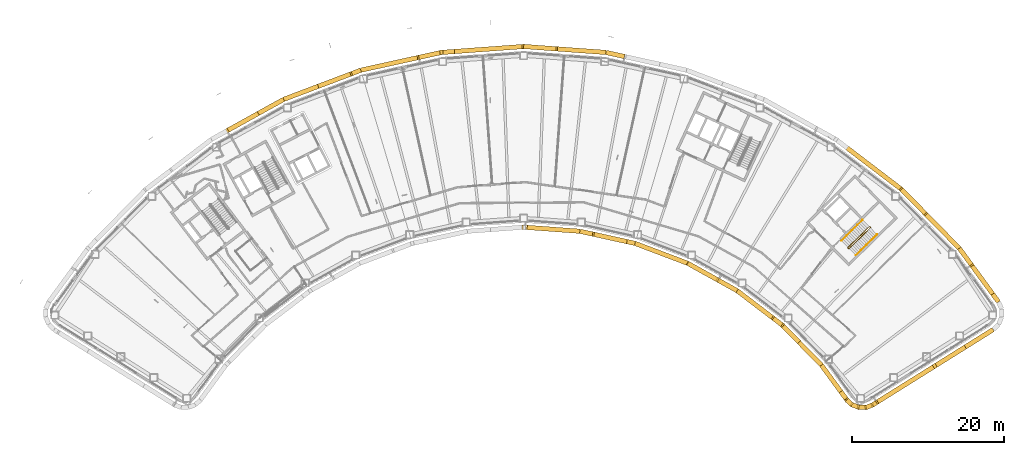
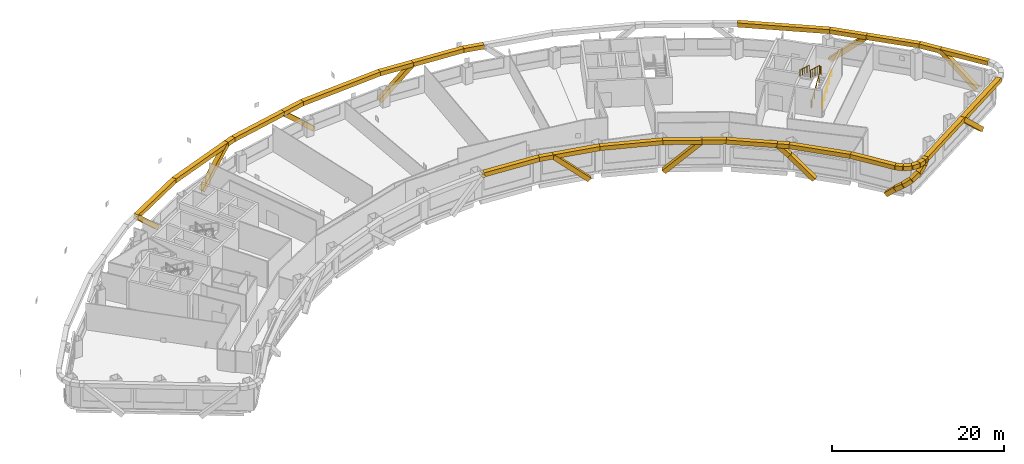
# One storey, part 17 of 19: 50 coverings, 3 railings.
"""IFC4 building model written with IfcOpenShell, lengths in metres."""

import ifcopenshell
import ifcopenshell.guid

model = None  # the IFC model being written
_history = None  # IfcOwnerHistory: only IFC2X3 demands one
_inside = {}  # id of a spatial element -> (the spatial element, [elements in it])
_under = {}  # id of a project, library or spatial element -> (it, [spatial elements below it])
_declared = {}  # id of a project -> (the project, [libraries it declares])
_typed = {}  # id of a type object -> (the type object, [elements of that type])
_made_of = {}  # id of a material, layer set ... -> (it, [elements and type objects made of it])


def new_model(schema):
    """Start an empty IFC model of exactly this schema.

    Asked for "IFC4X3", IfcOpenShell would pick the latest addendum, in which some entities
    have other attributes; the version numbers below select the first issue.
    IFC2X3 requires an IfcOwnerHistory on every rooted entity: one is made here for all.
    """
    global model, _history
    if schema == "IFC4X3":
        model = ifcopenshell.file(schema_version=(4, 3, 0, 0))
    else:
        model = ifcopenshell.file(schema=schema)
    _inside.clear()
    _under.clear()
    _declared.clear()
    _typed.clear()
    _made_of.clear()
    _history = None
    if model.schema == "IFC2X3":
        org = make("IfcOrganization", Name="unknown")
        user = make(
            "IfcPersonAndOrganization",
            ThePerson=make("IfcPerson", FamilyName="unknown"),
            TheOrganization=org,
        )
        app = make(
            "IfcApplication",
            ApplicationDeveloper=org,
            Version="unknown",
            ApplicationFullName="unknown",
            ApplicationIdentifier="unknown",
        )
        _history = make(
            "IfcOwnerHistory",
            OwningUser=user,
            OwningApplication=app,
            ChangeAction="ADDED",
            CreationDate=0,
        )
    return model


def make(cls, **values):
    """One entity of the class cls with the attributes given. An attribute that is None is left unset."""
    return model.create_entity(
        cls, **{name: value for name, value in values.items() if value is not None}
    )


def rooted(cls, **values):
    """An entity with a GlobalId (a new one), such as an element, a storey or a relation."""
    return make(cls, GlobalId=ifcopenshell.guid.new(), OwnerHistory=_history, **values)


def si_unit(unit_type, name, prefix=None):
    """IfcSIUnit, for example si_unit("LENGTHUNIT", "METRE", prefix="MILLI")."""
    return make("IfcSIUnit", UnitType=unit_type, Prefix=prefix, Name=name)


def assignment(units):
    """IfcUnitAssignment: the units of a project."""
    return None if units is None else make("IfcUnitAssignment", Units=units)


def point(xyz):
    """IfcCartesianPoint."""
    return None if xyz is None else make("IfcCartesianPoint", Coordinates=xyz)


def direction(xyz):
    """IfcDirection."""
    return None if xyz is None else make("IfcDirection", DirectionRatios=xyz)


def frame(location, z_axis=None, x_axis=None):
    """IfcAxis2Placement3D, a coordinate frame: its origin and axes. An axis left out is left unset."""
    return make(
        "IfcAxis2Placement3D",
        Location=point(location),
        Axis=direction(z_axis),
        RefDirection=direction(x_axis),
    )


def frame_2d(location, x_axis=None):
    """IfcAxis2Placement2D, a coordinate frame in the plane: its origin and x axis."""
    return make(
        "IfcAxis2Placement2D", Location=point(location), RefDirection=direction(x_axis)
    )


def origin():
    """The frame at (0, 0, 0) with its axes left unset."""
    return frame((0.0, 0.0, 0.0))


def origin_2d():
    """The frame at (0, 0) in the plane with its x axis left unset."""
    return frame_2d((0.0, 0.0))


def place(relative_to, where):
    """IfcLocalPlacement: puts the frame where relative to a parent placement (None: the world)."""
    return make(
        "IfcLocalPlacement", PlacementRelTo=relative_to, RelativePlacement=where
    )


def context(
    kind, dimensions, precision=None, world=None, true_north=None, identifier=None
):
    """IfcGeometricRepresentationContext, for example the 3D "Model" context."""
    return make(
        "IfcGeometricRepresentationContext",
        ContextIdentifier=identifier,
        ContextType=kind,
        CoordinateSpaceDimension=dimensions,
        Precision=precision,
        WorldCoordinateSystem=world,
        TrueNorth=true_north,
    )


def subcontext(parent, identifier, kind, view, scale=None):
    """IfcGeometricRepresentationSubContext, for example "Body" below "Model"."""
    return make(
        "IfcGeometricRepresentationSubContext",
        ContextIdentifier=identifier,
        ContextType=kind,
        ParentContext=parent,
        TargetScale=scale,
        TargetView=view,
    )


def project(units=None, contexts=None):
    """IfcProject with its units and contexts."""
    return rooted(
        "IfcProject",
        Name="project",
        RepresentationContexts=contexts,
        UnitsInContext=assignment(units),
    )


def spatial(cls, under=None, at=None, **own):
    """A site, building, storey or space (cls), placed at a placement, below another one or the project."""
    s = rooted(cls, ObjectPlacement=at, **own)
    if under is not None:
        _under.setdefault(under.id(), (under, []))[1].append(s)
    return s


def profile(cls, at=None, kind="AREA", **sizes):
    """A parametric profile (cls). Its sizes go by their IFC names, for example OverallWidth=200.0."""
    return make(cls, ProfileType=kind, Position=at, **sizes)


def rectangle(**sizes):
    """IfcRectangleProfileDef."""
    return profile("IfcRectangleProfileDef", **sizes)


def circle(**sizes):
    """IfcCircleProfileDef."""
    return profile("IfcCircleProfileDef", **sizes)


def extrude(swept, where, along, depth):
    """IfcExtrudedAreaSolid: the profile swept, set in the frame where, extruded along a direction by depth."""
    return make(
        "IfcExtrudedAreaSolid",
        SweptArea=swept,
        Position=where,
        ExtrudedDirection=direction(along),
        Depth=depth,
    )


def shape(context_of_items, identifier, shape_type, items):
    """IfcShapeRepresentation: the items that make up one representation, for example the "Body"."""
    return make(
        "IfcShapeRepresentation",
        ContextOfItems=context_of_items,
        RepresentationIdentifier=identifier,
        RepresentationType=shape_type,
        Items=items,
    )


def material(Name=None, Category=None):
    """IfcMaterial."""
    return make("IfcMaterial", Name=Name, Category=Category)


def material_profile(
    of_material, cross_section, Name=None, Category=None, Priority=None
):
    """IfcMaterialProfile: a cross section and its material."""
    return make(
        "IfcMaterialProfile",
        Name=Name,
        Material=of_material,
        Profile=cross_section,
        Priority=Priority,
        Category=Category,
    )


def profile_set(profiles, Name=None, composite=None):
    """IfcMaterialProfileSet."""
    return make(
        "IfcMaterialProfileSet",
        Name=Name,
        MaterialProfiles=profiles,
        CompositeProfile=composite,
    )


def made_of(thing, what):
    """Note that an element or type object is made of a material, layer set ...; save() writes the relation."""
    if what is not None:
        _made_of.setdefault(what.id(), (what, []))[1].append(thing)
    return thing


def type_object(cls, material=None, **own):
    """A type object (cls), such as IfcWallType, which elements share."""
    return made_of(rooted(cls, **own), material)


def element(
    cls,
    number,
    at=None,
    inside=None,
    cuts=None,
    type_object=None,
    material=None,
    context=None,
    identifier="Body",
    shape_type=None,
    held_by="IfcProductDefinitionShape",
    body=None,
    shapes=None,
    **own,
):
    """One element of the class cls, such as IfcWall. Its Tag is "e" and its number.

    at: its placement. inside: the storey or other place that contains it. cuts: it is an
    opening in that element (IfcRelVoidsElement). A single representation is given by context,
    identifier, shape_type and body (its items); several are given by shapes. held_by: the class
    of the entity that holds the representations. save() writes the other relations.
    """
    e = rooted(cls, Tag="e%d" % number, ObjectPlacement=at, **own)
    if body is not None:
        shapes = [shape(context, identifier, shape_type, body)]
    if shapes is not None:
        e.Representation = make(held_by, Representations=shapes)
    if inside is not None:
        _inside.setdefault(inside.id(), (inside, []))[1].append(e)
    if cuts is not None:
        rooted(
            "IfcRelVoidsElement", RelatingBuildingElement=cuts, RelatedOpeningElement=e
        )
    if type_object is not None:
        _typed.setdefault(type_object.id(), (type_object, []))[1].append(e)
    return made_of(e, material)


def aggregate(whole, parts):
    """IfcRelAggregates: a whole, such as a stair, and the parts it consists of."""
    return rooted("IfcRelAggregates", RelatingObject=whole, RelatedObjects=parts)


def save(model, path):
    """Write the relations noted so far, then the file.

    IfcRelAggregates (storeys below a building ...), IfcRelContainedInSpatialStructure (elements
    in a storey), IfcRelDefinesByType, IfcRelAssociatesMaterial and IfcRelDeclares: one each for
    every whole, place, type object, material and project.
    """
    for whole, parts in _under.values():
        aggregate(whole, parts)
    for where, things in _inside.values():
        rooted(
            "IfcRelContainedInSpatialStructure",
            RelatedElements=things,
            RelatingStructure=where,
        )
    for kind, things in _typed.values():
        rooted("IfcRelDefinesByType", RelatedObjects=things, RelatingType=kind)
    for what, things in _made_of.values():
        rooted("IfcRelAssociatesMaterial", RelatedObjects=things, RelatingMaterial=what)
    for by, libraries in _declared.values():
        rooted("IfcRelDeclares", RelatingContext=by, RelatedDefinitions=libraries)
    model.write(path)


model = new_model("IFC4")

# Units and contexts
model_context = context("Model", 3, precision=1e-05, world=origin(), true_north=direction((0.0, 1.0)))
body_context = subcontext(model_context, "Body", "Model", "MODEL_VIEW")
ifc_project = project(units=[si_unit("LENGTHUNIT", "METRE"), si_unit("AREAUNIT", "SQUARE_METRE"), si_unit("VOLUMEUNIT", "CUBIC_METRE"), si_unit("PLANEANGLEUNIT", "RADIAN"), si_unit("MASSUNIT", "GRAM", prefix="KILO")], contexts=[model_context])

# Site, building, storey
site_placement = place(None, origin())
site = spatial("IfcSite", under=ifc_project, at=site_placement, CompositionType="ELEMENT")
building_placement = place(site_placement, origin())
building = spatial("IfcBuilding", under=site, at=building_placement, Name="Tuul Gate Civic Tower", CompositionType="ELEMENT")
storey_placement = place(building_placement, frame((0.0, 0.0, 163.39990234375)))
storey = spatial("IfcBuildingStorey", under=building, at=storey_placement, Name="Level 37", CompositionType="ELEMENT", Elevation=163.39990234375)

# Railings
ifc_material_1 = material(Name="Painted steel", Category="steel")
railing_type_1 = type_object("IfcRailingType", Name="Stair guard", PredefinedType="GUARDRAIL", material=ifc_material_1)
railing_1_placement = place(storey_placement, frame((48.10546875, -16.134765625, 0.0)))
element("IfcRailing", 1, at=railing_1_placement, inside=storey, type_object=railing_type_1, Name="Level 37 ST-3 stair guard 1", PredefinedType="GUARDRAIL", context=body_context, shape_type="SweptSolid", body=[
    extrude(circle(Radius=0.02392578125, at=origin_2d()), frame((0.0, 0.0, 1.076171875), z_axis=(-0.698506948293, 0.715603272202, 0.0), x_axis=(-0.715603272202, -0.698506948293, 0.0)), (0.0, 0.0, 1.0), 0.099853515625),
    extrude(circle(Radius=0.02392578125, at=origin_2d()), frame((-0.06982421875, 0.071533203125, 1.076171875), z_axis=(0.644948864628, -0.331432055434, 0.688617277337), x_axis=(0.457068866502, 0.889431307788, 0.0)), (0.0, 0.0, 1.0), 0.218017578125),
    extrude(circle(Radius=0.02392578125, at=origin_2d()), frame((0.07080078125, -0.000732421875, 1.22607421875), z_axis=(0.638731261263, 0.626133563701, 0.447190268558), x_axis=(-0.700029477518, 0.714113947914, 0.0)), (0.0, 0.0, 1.0), 4.3603515625),
    extrude(circle(Radius=0.02392578125, at=origin_2d()), frame((2.85595703125, 2.7294921875, 3.17626953125), z_axis=(0.010380063588, 0.999946125689, 0.0), x_axis=(-0.999946125689, 0.010380063588, 0.0)), (0.0, 0.0, 1.0), 0.070556640625),
    extrude(circle(Radius=0.02392578125, at=origin_2d()), frame((2.856689453125, 2.800048828125, 3.17626953125), z_axis=(-0.699754442181, 0.714383454909, 0.0), x_axis=(-0.714383454909, -0.699754442181, 0.0)), (0.0, 0.0, 1.0), 0.10009765625),
    extrude(circle(Radius=0.02392578125, at=origin_2d()), frame((2.78662109375, 2.87158203125, 3.17626953125), z_axis=(-0.427069033481, 0.004417955519, 0.904208229508), x_axis=(-0.010344274102, -0.999946496565, 0.0)), (0.0, 0.0, 1.0), 0.165771484375),
    extrude(circle(Radius=0.02392578125, at=origin_2d()), frame((2.7158203125, 2.872314453125, 3.326171875), z_axis=(-0.638715268259, -0.626117886127, 0.447235059857), x_axis=(0.700029477518, -0.714113947914, 0.0)), (0.0, 0.0, 1.0), 4.360595703125),
    extrude(circle(Radius=0.02099609375, at=origin_2d()), origin(), (0.0, 0.0, 1.0), 1.052001953125),
    extrude(circle(Radius=0.02099609375, at=origin_2d()), frame((-0.06982421875, 0.071533203125, 0.0)), (0.0, 0.0, 1.0), 1.052001953125),
    extrude(circle(Radius=0.02099609375, at=origin_2d()), frame((0.07080078125, -0.000732421875, 0.150146484375)), (0.0, 0.0, 1.0), 1.052001953125),
    extrude(circle(Radius=0.02099609375, at=origin_2d()), frame((0.76708984375, 0.681884765625, 0.6376953125)), (0.0, 0.0, 1.0), 1.052001953125),
    extrude(circle(Radius=0.02099609375, at=origin_2d()), frame((1.46337890625, 1.3642578125, 1.125)), (0.0, 0.0, 1.0), 1.052001953125),
    extrude(circle(Radius=0.02099609375, at=origin_2d()), frame((2.15966796875, 2.046875, 1.612548828125)), (0.0, 0.0, 1.0), 1.052001953125),
    extrude(circle(Radius=0.02099609375, at=origin_2d()), frame((2.85595703125, 2.7294921875, 2.10009765625)), (0.0, 0.0, 1.0), 1.052001953125),
    extrude(circle(Radius=0.02099609375, at=origin_2d()), frame((2.856689453125, 2.800048828125, 2.10009765625)), (0.0, 0.0, 1.0), 1.052001953125),
    extrude(circle(Radius=0.02099609375, at=origin_2d()), frame((2.78662109375, 2.87158203125, 2.10009765625)), (0.0, 0.0, 1.0), 1.052001953125),
    extrude(circle(Radius=0.02099609375, at=origin_2d()), frame((2.7158203125, 2.872314453125, 2.25)), (0.0, 0.0, 1.0), 1.052001953125),
    extrude(circle(Radius=0.02099609375, at=origin_2d()), frame((2.01953125, 2.189697265625, 2.737548828125)), (0.0, 0.0, 1.0), 1.052001953125),
    extrude(circle(Radius=0.02099609375, at=origin_2d()), frame((1.3232421875, 1.50732421875, 3.22509765625)), (0.0, 0.0, 1.0), 1.052001953125),
    extrude(circle(Radius=0.02099609375, at=origin_2d()), frame((0.626953125, 0.82470703125, 3.712646484375)), (0.0, 0.0, 1.0), 1.052001953125),
    extrude(circle(Radius=0.02099609375, at=origin_2d()), frame((-0.0693359375, 0.14208984375, 4.2001953125)), (0.0, 0.0, 1.0), 1.052001953125),
])
ifc_material_2 = material(Name="Painted steel", Category="steel")
railing_type_2 = type_object("IfcRailingType", Name="Stair handrail", PredefinedType="HANDRAIL", material=ifc_material_2)
railing_2_placement = place(storey_placement, frame((49.05126953125, -17.028076171875, 0.150146484375)))
element("IfcRailing", 2, at=railing_2_placement, inside=storey, type_object=railing_type_2, Name="Level 37 ST-3 stair handrail 1", PredefinedType="HANDRAIL", context=body_context, shape_type="SweptSolid", body=[
    extrude(circle(Radius=0.02392578125, at=origin_2d()), frame((0.0, 0.0, 0.8759765625), z_axis=(0.638753653487, 0.626099522554, 0.447205945863), x_axis=(-0.699997553204, 0.714145241186, 0.0)), (0.0, 0.0, 1.0), 4.3603515625),
    extrude(circle(Radius=0.02099609375, at=origin_2d()), origin(), (0.0, 0.0, 1.0), 0.851806640625),
    extrude(circle(Radius=0.02099609375, at=origin_2d()), frame((0.6962890625, 0.6826171875, 0.487548828125)), (0.0, 0.0, 1.0), 0.851806640625),
    extrude(circle(Radius=0.02099609375, at=origin_2d()), frame((1.392578125, 1.364990234375, 0.97509765625)), (0.0, 0.0, 1.0), 0.851806640625),
    extrude(circle(Radius=0.02099609375, at=origin_2d()), frame((2.0888671875, 2.04736328125, 1.46240234375)), (0.0, 0.0, 1.0), 0.851806640625),
    extrude(circle(Radius=0.02099609375, at=origin_2d()), frame((2.78515625, 2.72998046875, 1.949951171875)), (0.0, 0.0, 1.0), 0.851806640625),
])
railing_3_placement = place(storey_placement, frame((49.9462890625, -12.369873046875, 2.25)))
element("IfcRailing", 3, at=railing_3_placement, inside=storey, type_object=railing_type_2, Name="Level 37 ST-3 stair handrail 2", PredefinedType="HANDRAIL", context=body_context, shape_type="SweptSolid", body=[
    extrude(circle(Radius=0.02392578125, at=origin_2d()), frame((0.0, 0.0, 0.8759765625), z_axis=(-0.638737658801, -0.626083844733, 0.447250737947), x_axis=(0.699997553204, -0.714145241186, 0.0)), (0.0, 0.0, 1.0), 4.3603515625),
    extrude(circle(Radius=0.02099609375, at=origin_2d()), origin(), (0.0, 0.0, 1.0), 0.851806640625),
    extrude(circle(Radius=0.02099609375, at=origin_2d()), frame((-0.6962890625, -0.6826171875, 0.487548828125)), (0.0, 0.0, 1.0), 0.851806640625),
    extrude(circle(Radius=0.02099609375, at=origin_2d()), frame((-1.392578125, -1.364990234375, 0.97509765625)), (0.0, 0.0, 1.0), 0.851806640625),
    extrude(circle(Radius=0.02099609375, at=origin_2d()), frame((-2.0888671875, -2.04736328125, 1.462646484375)), (0.0, 0.0, 1.0), 0.851806640625),
    extrude(circle(Radius=0.02099609375, at=origin_2d()), frame((-2.78515625, -2.72998046875, 1.9501953125)), (0.0, 0.0, 1.0), 0.851806640625),
])

# Coverings
ifc_material_3 = material(Name="Terracotta baguette", Category="masonry")
ifc_material_profile = material_profile(ifc_material_3, rectangle(XDim=0.60009765625, YDim=0.60009765625, at=origin_2d()), Name="Terracotta baguette screen frame")
ifc_profile_set = profile_set([ifc_material_profile], Name="Terracotta baguette")
covering_type = type_object("IfcCoveringType", Name="Terracotta baguette screen frame", PredefinedType="CLADDING", material=ifc_profile_set)
covering_1_placement = place(storey_placement, frame((63.275146484375, -29.19384765625, -0.349853515625), z_axis=(-0.621692196539, -0.388419240575, 0.680168586686), x_axis=(0.529863185224, -0.848083135633, 0.0)))
element("IfcCovering", 4, at=covering_1_placement, inside=storey, type_object=covering_type, Name="Baguette 10", PredefinedType="CLADDING", context=body_context, shape_type="SweptSolid", body=[
    extrude(rectangle(XDim=0.60009765625, YDim=0.60009765625, at=origin_2d()), origin(), (0.0, 0.0, 1.0), 6.1748046875),
])
covering_2_placement = place(storey_placement, frame((66.93359375, -21.952880859375, -0.349853515625), z_axis=(-0.433770617743, 0.59398297229, 0.677515519978), x_axis=(-0.807581408805, -0.589756109042, 0.0)))
element("IfcCovering", 5, at=covering_2_placement, inside=storey, type_object=covering_type, Name="Baguette 20", PredefinedType="CLADDING", context=body_context, shape_type="SweptSolid", body=[
    extrude(rectangle(XDim=0.60009765625, YDim=0.60009765625, at=origin_2d()), origin(), (0.0, 0.0, 1.0), 6.198974609375),
])
covering_3_placement = place(storey_placement, frame((64.24462890625, -18.270751953125, 3.85009765625), z_axis=(-0.58975169847, 0.807584629715, 0.0), x_axis=(-0.807584629715, -0.58975169847, 0.0)))
element("IfcCovering", 6, at=covering_3_placement, inside=storey, type_object=covering_type, Name="Baguette 25", PredefinedType="CLADDING", context=body_context, shape_type="SweptSolid", body=[
    extrude(rectangle(XDim=0.60009765625, YDim=0.60009765625, at=origin_2d()), origin(), (0.0, 0.0, 1.0), 2.680908203125),
])
covering_4_placement = place(storey_placement, frame((62.66357421875, -16.105712890625, 3.85009765625), z_axis=(-0.700039399016, 0.714104221963, 0.0), x_axis=(-0.714104221963, -0.700039399016, 0.0)))
element("IfcCovering", 7, at=covering_4_placement, inside=storey, type_object=covering_type, Name="Baguette 26", PredefinedType="CLADDING", context=body_context, shape_type="SweptSolid", body=[
    extrude(rectangle(XDim=0.60009765625, YDim=0.60009765625, at=origin_2d()), origin(), (0.0, 0.0, 1.0), 6.4052734375),
])
covering_5_placement = place(storey_placement, frame((58.1796875, -11.53173828125, 3.85009765625), z_axis=(-0.513664811343, 0.523980822303, -0.679406034302), x_axis=(-0.714101368885, -0.700042309404, 0.0)))
element("IfcCovering", 8, at=covering_5_placement, inside=storey, type_object=covering_type, Name="Baguette 29", PredefinedType="CLADDING", context=body_context, shape_type="SweptSolid", body=[
    extrude(rectangle(XDim=0.60009765625, YDim=0.60009765625, at=origin_2d()), origin(), (0.0, 0.0, 1.0), 6.05859375),
])
covering_6_placement = place(storey_placement, frame((18.626708984375, 9.115478515625, 3.85009765625), z_axis=(-0.976564116236, 0.215226687194, 0.0), x_axis=(-0.215226687194, -0.976564116236, 0.0)))
element("IfcCovering", 9, at=covering_6_placement, inside=storey, type_object=covering_type, Name="Baguette 67", PredefinedType="CLADDING", context=body_context, shape_type="SweptSolid", body=[
    extrude(rectangle(XDim=0.60009765625, YDim=0.60009765625, at=origin_2d()), origin(), (0.0, 0.0, 1.0), 2.48876953125),
])
covering_7_placement = place(storey_placement, frame((16.1962890625, 9.651123046875, 3.85009765625), z_axis=(-0.997387623225, 0.072235234043, 0.0), x_axis=(-0.072235234043, -0.997387623225, 0.0)))
element("IfcCovering", 10, at=covering_7_placement, inside=storey, type_object=covering_type, Name="Baguette 68", PredefinedType="CLADDING", context=body_context, shape_type="SweptSolid", body=[
    extrude(rectangle(XDim=0.60009765625, YDim=0.60009765625, at=origin_2d()), origin(), (0.0, 0.0, 1.0), 6.583740234375),
])
covering_8_placement = place(storey_placement, frame((9.629638671875, 10.126708984375, 3.85009765625), z_axis=(-0.731844734736, 0.053027359301, -0.679405168809), x_axis=(-0.072267661138, -0.997385274181, 0.0)))
element("IfcCovering", 11, at=covering_8_placement, inside=storey, type_object=covering_type, Name="Baguette 71", PredefinedType="CLADDING", context=body_context, shape_type="SweptSolid", body=[
    extrude(rectangle(XDim=0.60009765625, YDim=0.60009765625, at=origin_2d()), origin(), (0.0, 0.0, 1.0), 5.81494140625),
])
covering_9_placement = place(storey_placement, frame((-3.943359375, 9.760009765625, -0.349853515625), z_axis=(-0.731921933981, -0.052950070163, 0.679328030209), x_axis=(0.072155305808, -0.997393408763, 0.0)))
element("IfcCovering", 12, at=covering_9_placement, inside=storey, type_object=covering_type, Name="Baguette 85", PredefinedType="CLADDING", context=body_context, shape_type="SweptSolid", body=[
    extrude(rectangle(XDim=0.60009765625, YDim=0.60009765625, at=origin_2d()), origin(), (0.0, 0.0, 1.0), 2.056396484375),
])
covering_10_placement = place(storey_placement, frame((-5.448486328125, 9.651123046875, 1.047119140625), z_axis=(-0.716565575252, -0.157941491481, 0.679402871374), x_axis=(0.21524792572, -0.976559435198, 0.0)))
element("IfcCovering", 13, at=covering_10_placement, inside=storey, type_object=covering_type, Name="Baguette 86", PredefinedType="CLADDING", context=body_context, shape_type="SweptSolid", body=[
    extrude(rectangle(XDim=0.60009765625, YDim=0.60009765625, at=origin_2d()), origin(), (0.0, 0.0, 1.0), 4.125732421875),
])
covering_11_placement = place(storey_placement, frame((-8.40478515625, 8.99951171875, 3.85009765625), z_axis=(-0.97656661245, -0.215215360623, 0.0), x_axis=(0.215215360623, -0.97656661245, 0.0)))
element("IfcCovering", 14, at=covering_11_placement, inside=storey, type_object=covering_type, Name="Baguette 91", PredefinedType="CLADDING", context=body_context, shape_type="SweptSolid", body=[
    extrude(rectangle(XDim=0.60009765625, YDim=0.60009765625, at=origin_2d()), origin(), (0.0, 0.0, 1.0), 7.823974609375),
])
covering_12_placement = place(storey_placement, frame((-16.04541015625, 7.315673828125, 3.85009765625), z_axis=(-0.935336979546, -0.353758017144, 0.0), x_axis=(0.353758017144, -0.935336979546, 0.0)))
element("IfcCovering", 15, at=covering_12_placement, inside=storey, type_object=covering_type, Name="Baguette 92", PredefinedType="CLADDING", context=body_context, shape_type="SweptSolid", body=[
    extrude(rectangle(XDim=0.60009765625, YDim=0.60009765625, at=origin_2d()), origin(), (0.0, 0.0, 1.0), 1.24853515625),
])
covering_13_placement = place(storey_placement, frame((-17.213134765625, 6.8740234375, 3.85009765625), z_axis=(-0.686341416792, -0.259545186211, -0.679390724039), x_axis=(0.353711403676, -0.935354608108, 0.0)))
element("IfcCovering", 16, at=covering_13_placement, inside=storey, type_object=covering_type, Name="Baguette 94", PredefinedType="CLADDING", context=body_context, shape_type="SweptSolid", body=[
    extrude(rectangle(XDim=0.60009765625, YDim=0.60009765625, at=origin_2d()), origin(), (0.0, 0.0, 1.0), 6.181884765625),
])
covering_14_placement = place(storey_placement, frame((-29.69873046875, 1.535400390625, -0.349853515625), z_axis=(-0.641784666294, -0.355744032612, 0.679381060504), x_axis=(0.484806475071, -0.874621450531, 0.0)))
element("IfcCovering", 17, at=covering_14_placement, inside=storey, type_object=covering_type, Name="Baguette 104", PredefinedType="CLADDING", context=body_context, shape_type="SweptSolid", body=[
    extrude(rectangle(XDim=0.60009765625, YDim=0.60009765625, at=origin_2d()), origin(), (0.0, 0.0, 1.0), 6.18212890625),
])
covering_15_placement = place(storey_placement, frame((5.3740234375, -13.326904296875, 3.6005859375), z_axis=(0.723104762841, -0.052564931502, 0.688735384551), x_axis=(0.072502073076, 0.997368261677, 0.0)))
element("IfcCovering", 18, at=covering_15_placement, inside=storey, type_object=covering_type, Name="Baguette 219", PredefinedType="CLADDING", context=body_context, shape_type="SweptSolid", body=[
    extrude(rectangle(XDim=0.60009765625, YDim=0.60009765625, at=origin_2d()), origin(), (0.0, 0.0, 1.0), 0.3623046875),
])
covering_16_placement = place(storey_placement, frame((5.635986328125, -13.345947265625, 3.85009765625), z_axis=(0.997385437558, -0.072265406293, 0.0), x_axis=(0.072265406293, 0.997385437558, 0.0)))
element("IfcCovering", 19, at=covering_16_placement, inside=storey, type_object=covering_type, Name="Baguette 224", PredefinedType="CLADDING", context=body_context, shape_type="SweptSolid", body=[
    extrude(rectangle(XDim=0.60009765625, YDim=0.60009765625, at=origin_2d()), origin(), (0.0, 0.0, 1.0), 7.155517578125),
])
covering_17_placement = place(storey_placement, frame((12.772705078125, -13.863037109375, 3.85009765625), z_axis=(0.976558033937, -0.215254283007, 0.0), x_axis=(0.215254283007, 0.976558033937, 0.0)))
element("IfcCovering", 20, at=covering_17_placement, inside=storey, type_object=covering_type, Name="Baguette 225", PredefinedType="CLADDING", context=body_context, shape_type="SweptSolid", body=[
    extrude(rectangle(XDim=0.60009765625, YDim=0.60009765625, at=origin_2d()), origin(), (0.0, 0.0, 1.0), 1.69677734375),
])
for number, where, z_axis, x_axis, name in (
    (21, (14.4296875, -14.228271484375, 3.85009765625), (0.708366541993, -0.156134341459, -0.68835957871), (0.21524797351, 0.976559424664, 0.0), "Baguette 227"),
    (22, (27.07666015625, -18.150634765625, -0.349853515625), (0.634417893986, -0.351680786518, 0.688356419441), (0.484827764604, 0.874609649312, 0.0), "Baguette 239"),
):
    element("IfcCovering", number, at=place(storey_placement, frame(where, z_axis=z_axis, x_axis=x_axis)), inside=storey, type_object=covering_type, Name=name, PredefinedType="CLADDING", context=body_context, shape_type="SweptSolid", body=[
        extrude(rectangle(XDim=0.60009765625, YDim=0.60009765625, at=origin_2d()), origin(), (0.0, 0.0, 1.0), 6.101318359375),
    ])
covering_18_placement = place(storey_placement, frame((30.947509765625, -20.29638671875, 3.85009765625), z_axis=(0.874604932638, -0.484836273195, 0.0), x_axis=(0.484836273195, 0.874604932638, 0.0)))
element("IfcCovering", 23, at=covering_18_placement, inside=storey, type_object=covering_type, Name="Baguette 244", PredefinedType="CLADDING", context=body_context, shape_type="SweptSolid", body=[
    extrude(rectangle(XDim=0.60009765625, YDim=0.60009765625, at=origin_2d()), origin(), (0.0, 0.0, 1.0), 2.85302734375),
])
covering_19_placement = place(storey_placement, frame((33.44287109375, -21.6796875, 3.85009765625), z_axis=(0.795578368083, -0.605850691373, 0.0), x_axis=(0.605850691373, 0.795578368083, 0.0)))
element("IfcCovering", 24, at=covering_19_placement, inside=storey, type_object=covering_type, Name="Baguette 245", PredefinedType="CLADDING", context=body_context, shape_type="SweptSolid", body=[
    extrude(rectangle(XDim=0.60009765625, YDim=0.60009765625, at=origin_2d()), origin(), (0.0, 0.0, 1.0), 5.9990234375),
])
covering_20_placement = place(storey_placement, frame((38.215576171875, -25.314208984375, 3.85009765625), z_axis=(0.577125766538, -0.439459304494, -0.68833231022), x_axis=(0.605820279821, 0.795601526241, 0.0)))
element("IfcCovering", 25, at=covering_20_placement, inside=storey, type_object=covering_type, Name="Baguette 248", PredefinedType="CLADDING", context=body_context, shape_type="SweptSolid", body=[
    extrude(rectangle(XDim=0.60009765625, YDim=0.60009765625, at=origin_2d()), origin(), (0.0, 0.0, 1.0), 1.9560546875),
])
covering_21_placement = place(storey_placement, frame((39.344482421875, -26.173828125, 2.503662109375), z_axis=(0.507776102348, -0.518023497593, -0.688342273746), x_axis=(0.714134909565, 0.700008093482, 0.0)))
element("IfcCovering", 26, at=covering_21_placement, inside=storey, type_object=covering_type, Name="Baguette 249", PredefinedType="CLADDING", context=body_context, shape_type="SweptSolid", body=[
    extrude(rectangle(XDim=0.60009765625, YDim=0.60009765625, at=origin_2d()), origin(), (0.0, 0.0, 1.0), 4.1455078125),
])
covering_22_placement = place(storey_placement, frame((47.202392578125, -35.12060546875, -0.349853515625), z_axis=(0.431205862889, -0.590642022756, 0.68205828546), x_axis=(0.807662774431, 0.589644675037, 0.0)))
element("IfcCovering", 27, at=covering_22_placement, inside=storey, type_object=covering_type, Name="Baguette 276", PredefinedType="CLADDING", context=body_context, shape_type="SweptSolid", body=[
    extrude(rectangle(XDim=0.60009765625, YDim=0.60009765625, at=origin_2d()), origin(), (0.0, 0.0, 1.0), 1.57568359375),
])
covering_23_placement = place(storey_placement, frame((47.8818359375, -36.05126953125, 0.724853515625), z_axis=(0.593945763678, -0.556067131363, 0.581392961109), x_axis=(0.683445771731, 0.730001285686, 0.0)))
element("IfcCovering", 28, at=covering_23_placement, inside=storey, type_object=covering_type, Name="Baguette 277", PredefinedType="CLADDING", context=body_context, shape_type="SweptSolid", body=[
    extrude(rectangle(XDim=0.60009765625, YDim=0.60009765625, at=origin_2d()), origin(), (0.0, 0.0, 1.0), 1.108642578125),
])
covering_24_placement = place(storey_placement, frame((48.540283203125, -36.667724609375, 1.369384765625), z_axis=(0.775194320813, -0.307235279481, 0.551978485108), x_axis=(0.36845020329, 0.929647485715, 0.0)))
element("IfcCovering", 29, at=covering_24_placement, inside=storey, type_object=covering_type, Name="Baguette 278", PredefinedType="CLADDING", context=body_context, shape_type="SweptSolid", body=[
    extrude(rectangle(XDim=0.60009765625, YDim=0.60009765625, at=origin_2d()), origin(), (0.0, 0.0, 1.0), 1.168212890625),
])
covering_25_placement = place(storey_placement, frame((49.44580078125, -37.026611328125, 2.01416015625), z_axis=(0.833750120716, -0.002301443244, 0.552137156479), x_axis=(0.002760340801, 0.999996190252, 0.0)))
element("IfcCovering", 30, at=covering_25_placement, inside=storey, type_object=covering_type, Name="Baguette 279", PredefinedType="CLADDING", context=body_context, shape_type="SweptSolid", body=[
    extrude(rectangle(XDim=0.60009765625, YDim=0.60009765625, at=origin_2d()), origin(), (0.0, 0.0, 1.0), 1.1669921875),
])
covering_26_placement = place(storey_placement, frame((50.418701171875, -37.029296875, 2.658447265625), z_axis=(0.758087647671, 0.294995454877, 0.581619119399), x_axis=(-0.362642296801, 0.93192841172, 0.0)))
element("IfcCovering", 31, at=covering_26_placement, inside=storey, type_object=covering_type, Name="Baguette 280", PredefinedType="CLADDING", context=body_context, shape_type="SweptSolid", body=[
    extrude(rectangle(XDim=0.60009765625, YDim=0.60009765625, at=origin_2d()), origin(), (0.0, 0.0, 1.0), 1.108154296875),
])
covering_27_placement = place(storey_placement, frame((51.2587890625, -36.702392578125, 3.302978515625), z_axis=(0.621611927878, 0.388507454924, 0.680191567566), x_axis=(-0.529998940003, 0.847998304005, 0.0)))
element("IfcCovering", 32, at=covering_27_placement, inside=storey, type_object=covering_type, Name="Baguette 281", PredefinedType="CLADDING", context=body_context, shape_type="SweptSolid", body=[
    extrude(rectangle(XDim=0.60009765625, YDim=0.60009765625, at=origin_2d()), origin(), (0.0, 0.0, 1.0), 0.804443359375),
])
covering_28_placement = place(storey_placement, frame((51.7587890625, -36.389892578125, 3.85009765625), z_axis=(0.848039206863, 0.52993348981, 0.0), x_axis=(-0.52993348981, 0.848039206863, 0.0)))
element("IfcCovering", 33, at=covering_28_placement, inside=storey, type_object=covering_type, Name="Baguette 284", PredefinedType="CLADDING", context=body_context, shape_type="SweptSolid", body=[
    extrude(rectangle(XDim=0.60009765625, YDim=0.60009765625, at=origin_2d()), origin(), (0.0, 0.0, 1.0), 9.05322265625),
])
covering_29_placement = place(storey_placement, frame((58.1796875, -11.53173828125, 3.85009765625), z_axis=(-0.700042309404, 0.714101368885, 0.0), x_axis=(-0.714101368885, -0.700042309404, 0.0)))
element("IfcCovering", 34, at=covering_29_placement, inside=storey, type_object=covering_type, Name="Baguette 419", PredefinedType="CLADDING", context=body_context, shape_type="SweptSolid", body=[
    extrude(rectangle(XDim=0.60009765625, YDim=0.60009765625, at=origin_2d()), origin(), (0.0, 0.0, 1.0), 4.445556640625),
])
covering_30_placement = place(storey_placement, frame((55.067626953125, -8.357177734375, 3.85009765625), z_axis=(-0.795618643442, 0.605797799771, 0.0), x_axis=(-0.605797799771, -0.795618643442, 0.0)))
element("IfcCovering", 35, at=covering_30_placement, inside=storey, type_object=covering_type, Name="Baguette 420", PredefinedType="CLADDING", context=body_context, shape_type="SweptSolid", body=[
    extrude(rectangle(XDim=0.60009765625, YDim=0.60009765625, at=origin_2d()), origin(), (0.0, 0.0, 1.0), 10.851318359375),
])
covering_31_placement = place(storey_placement, frame((9.629638671875, 10.126708984375, 3.85009765625), z_axis=(-0.997385274181, 0.072267661138, 0.0), x_axis=(-0.072267661138, -0.997385274181, 0.0)))
element("IfcCovering", 36, at=covering_31_placement, inside=storey, type_object=covering_type, Name="Baguette 424", PredefinedType="CLADDING", context=body_context, shape_type="SweptSolid", body=[
    extrude(rectangle(XDim=0.60009765625, YDim=0.60009765625, at=origin_2d()), origin(), (0.0, 0.0, 1.0), 4.266845703125),
])
covering_32_placement = place(storey_placement, frame((5.3740234375, 10.43505859375, 3.85009765625), z_axis=(-0.997386817082, -0.072246363998, 0.0), x_axis=(0.072246363998, -0.997386817082, 0.0)))
element("IfcCovering", 37, at=covering_32_placement, inside=storey, type_object=covering_type, Name="Baguette 425", PredefinedType="CLADDING", context=body_context, shape_type="SweptSolid", body=[
    extrude(rectangle(XDim=0.60009765625, YDim=0.60009765625, at=origin_2d()), origin(), (0.0, 0.0, 1.0), 10.850830078125),
])
covering_33_placement = place(storey_placement, frame((-5.448486328125, 9.651123046875, 3.85009765625), z_axis=(-0.976559435198, -0.21524792572, 0.0), x_axis=(0.21524792572, -0.976559435198, 0.0)))
element("IfcCovering", 38, at=covering_33_placement, inside=storey, type_object=covering_type, Name="Baguette 426", PredefinedType="CLADDING", context=body_context, shape_type="SweptSolid", body=[
    extrude(rectangle(XDim=0.60009765625, YDim=0.60009765625, at=origin_2d()), origin(), (0.0, 0.0, 1.0), 3.02734375),
])
covering_34_placement = place(storey_placement, frame((-17.213134765625, 6.8740234375, 3.85009765625), z_axis=(-0.935349696877, -0.353724390667, 0.0), x_axis=(0.353724390667, -0.935349696877, 0.0)))
element("IfcCovering", 39, at=covering_34_placement, inside=storey, type_object=covering_type, Name="Baguette 427", PredefinedType="CLADDING", context=body_context, shape_type="SweptSolid", body=[
    extrude(rectangle(XDim=0.60009765625, YDim=0.60009765625, at=origin_2d()), origin(), (0.0, 0.0, 1.0), 9.602783203125),
])
covering_35_placement = place(storey_placement, frame((-26.195068359375, 3.477294921875, 3.85009765625), z_axis=(-0.874631408873, -0.48478850916, 0.0), x_axis=(0.48478850916, -0.874631408873, 0.0)))
element("IfcCovering", 40, at=covering_35_placement, inside=storey, type_object=covering_type, Name="Baguette 428", PredefinedType="CLADDING", context=body_context, shape_type="SweptSolid", body=[
    extrude(rectangle(XDim=0.60009765625, YDim=0.60009765625, at=origin_2d()), origin(), (0.0, 0.0, 1.0), 8.5419921875),
])
covering_36_placement = place(storey_placement, frame((14.4296875, -14.228271484375, 3.85009765625), z_axis=(0.97655913888, -0.21524927008, 0.0), x_axis=(0.21524927008, 0.97655913888, 0.0)))
element("IfcCovering", 41, at=covering_36_placement, inside=storey, type_object=covering_type, Name="Baguette 440", PredefinedType="CLADDING", context=body_context, shape_type="SweptSolid", body=[
    extrude(rectangle(XDim=0.60009765625, YDim=0.60009765625, at=origin_2d()), origin(), (0.0, 0.0, 1.0), 5.720947265625),
])
covering_37_placement = place(storey_placement, frame((20.0166015625, -15.459716796875, 3.85009765625), z_axis=(0.935363965038, -0.353686659217, 0.0), x_axis=(0.353686659217, 0.935363965038, 0.0)))
element("IfcCovering", 42, at=covering_37_placement, inside=storey, type_object=covering_type, Name="Baguette 441", PredefinedType="CLADDING", context=body_context, shape_type="SweptSolid", body=[
    extrude(rectangle(XDim=0.60009765625, YDim=0.60009765625, at=origin_2d()), origin(), (0.0, 0.0, 1.0), 7.417724609375),
])
covering_38_placement = place(storey_placement, frame((26.954833984375, -18.083251953125, 3.85009765625), z_axis=(0.874623567378, -0.484802656126, 0.0), x_axis=(0.484802656126, 0.874623567378, 0.0)))
element("IfcCovering", 43, at=covering_38_placement, inside=storey, type_object=covering_type, Name="Baguette 442", PredefinedType="CLADDING", context=body_context, shape_type="SweptSolid", body=[
    extrude(rectangle(XDim=0.60009765625, YDim=0.60009765625, at=origin_2d()), origin(), (0.0, 0.0, 1.0), 4.56494140625),
])
covering_39_placement = place(storey_placement, frame((38.215576171875, -25.314208984375, 3.85009765625), z_axis=(0.795601526241, -0.605820279821, 0.0), x_axis=(0.605820279821, 0.795601526241, 0.0)))
element("IfcCovering", 44, at=covering_39_placement, inside=storey, type_object=covering_type, Name="Baguette 443", PredefinedType="CLADDING", context=body_context, shape_type="SweptSolid", body=[
    extrude(rectangle(XDim=0.60009765625, YDim=0.60009765625, at=origin_2d()), origin(), (0.0, 0.0, 1.0), 1.4189453125),
])
covering_40_placement = place(storey_placement, frame((39.344482421875, -26.173828125, 3.85009765625), z_axis=(0.700028633045, -0.714114775731, 0.0), x_axis=(0.714114775731, 0.700028633045, 0.0)))
element("IfcCovering", 45, at=covering_40_placement, inside=storey, type_object=covering_type, Name="Baguette 444", PredefinedType="CLADDING", context=body_context, shape_type="SweptSolid", body=[
    extrude(rectangle(XDim=0.60009765625, YDim=0.60009765625, at=origin_2d()), origin(), (0.0, 0.0, 1.0), 7.41796875),
])
covering_41_placement = place(storey_placement, frame((44.537353515625, -31.47119140625, 3.85009765625), z_axis=(0.589729447422, -0.807600878432, 0.0), x_axis=(0.807600878432, 0.589729447422, 0.0)))
element("IfcCovering", 46, at=covering_41_placement, inside=storey, type_object=covering_type, Name="Baguette 445", PredefinedType="CLADDING", context=body_context, shape_type="SweptSolid", body=[
    extrude(rectangle(XDim=0.60009765625, YDim=0.60009765625, at=origin_2d()), origin(), (0.0, 0.0, 1.0), 5.671142578125),
])
covering_42_placement = place(storey_placement, frame((47.8818359375, -36.05126953125, 3.85009765625), z_axis=(0.730001285686, -0.683445771731, 0.0), x_axis=(0.683445771731, 0.730001285686, 0.0)))
element("IfcCovering", 47, at=covering_42_placement, inside=storey, type_object=covering_type, Name="Baguette 446", PredefinedType="CLADDING", context=body_context, shape_type="SweptSolid", body=[
    extrude(rectangle(XDim=0.60009765625, YDim=0.60009765625, at=origin_2d()), origin(), (0.0, 0.0, 1.0), 0.902099609375),
])
covering_43_placement = place(storey_placement, frame((48.540283203125, -36.667724609375, 3.85009765625), z_axis=(0.929647485715, -0.36845020329, 0.0), x_axis=(0.36845020329, 0.929647485715, 0.0)))
element("IfcCovering", 48, at=covering_43_placement, inside=storey, type_object=covering_type, Name="Baguette 447", PredefinedType="CLADDING", context=body_context, shape_type="SweptSolid", body=[
    extrude(rectangle(XDim=0.60009765625, YDim=0.60009765625, at=origin_2d()), origin(), (0.0, 0.0, 1.0), 0.97412109375),
])
covering_44_placement = place(storey_placement, frame((49.44580078125, -37.026611328125, 3.85009765625), z_axis=(0.999996190252, -0.002760340801, 0.0), x_axis=(0.002760340801, 0.999996190252, 0.0)))
element("IfcCovering", 49, at=covering_44_placement, inside=storey, type_object=covering_type, Name="Baguette 448", PredefinedType="CLADDING", context=body_context, shape_type="SweptSolid", body=[
    extrude(rectangle(XDim=0.60009765625, YDim=0.60009765625, at=origin_2d()), origin(), (0.0, 0.0, 1.0), 0.972900390625),
])
covering_45_placement = place(storey_placement, frame((50.418701171875, -37.029296875, 3.85009765625), z_axis=(0.93192841172, 0.362642296801, 0.0), x_axis=(-0.362642296801, 0.93192841172, 0.0)))
element("IfcCovering", 50, at=covering_45_placement, inside=storey, type_object=covering_type, Name="Baguette 449", PredefinedType="CLADDING", context=body_context, shape_type="SweptSolid", body=[
    extrude(rectangle(XDim=0.60009765625, YDim=0.60009765625, at=origin_2d()), origin(), (0.0, 0.0, 1.0), 0.9013671875),
])
covering_46_placement = place(storey_placement, frame((51.2587890625, -36.702392578125, 3.85009765625), z_axis=(0.847998304005, 0.529998940003, 0.0), x_axis=(-0.529998940003, 0.847998304005, 0.0)))
element("IfcCovering", 51, at=covering_46_placement, inside=storey, type_object=covering_type, Name="Baguette 450", PredefinedType="CLADDING", context=body_context, shape_type="SweptSolid", body=[
    extrude(rectangle(XDim=0.60009765625, YDim=0.60009765625, at=origin_2d()), origin(), (0.0, 0.0, 1.0), 0.589599609375),
])
covering_47_placement = place(storey_placement, frame((59.436279296875, -31.59228515625, 3.85009765625), z_axis=(0.84807101712, 0.529882581258, 0.0), x_axis=(-0.529882581258, 0.84807101712, 0.0)))
element("IfcCovering", 52, at=covering_47_placement, inside=storey, type_object=covering_type, Name="Baguette 451", PredefinedType="CLADDING", context=body_context, shape_type="SweptSolid", body=[
    extrude(rectangle(XDim=0.60009765625, YDim=0.60009765625, at=origin_2d()), origin(), (0.0, 0.0, 1.0), 9.05322265625),
])
covering_48_placement = place(storey_placement, frame((67.815185546875, -23.159912109375, 3.85009765625), z_axis=(-0.589769860681, 0.807571366154, 0.0), x_axis=(-0.807571366154, -0.589769860681, 0.0)))
element("IfcCovering", 53, at=covering_48_placement, inside=storey, type_object=covering_type, Name="Baguette 456", PredefinedType="CLADDING", context=body_context, shape_type="SweptSolid", body=[
    extrude(rectangle(XDim=0.60009765625, YDim=0.60009765625, at=origin_2d()), origin(), (0.0, 0.0, 1.0), 6.05419921875),
])

save(model, "model.ifc")
